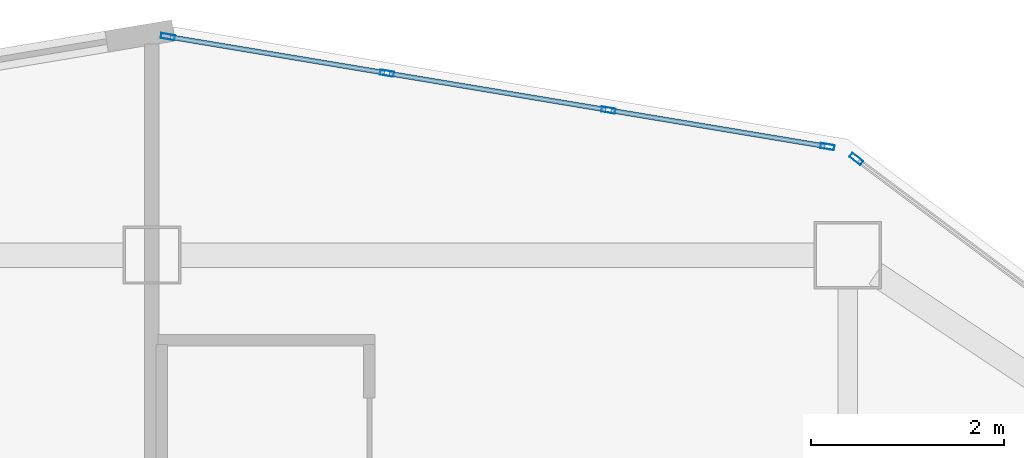
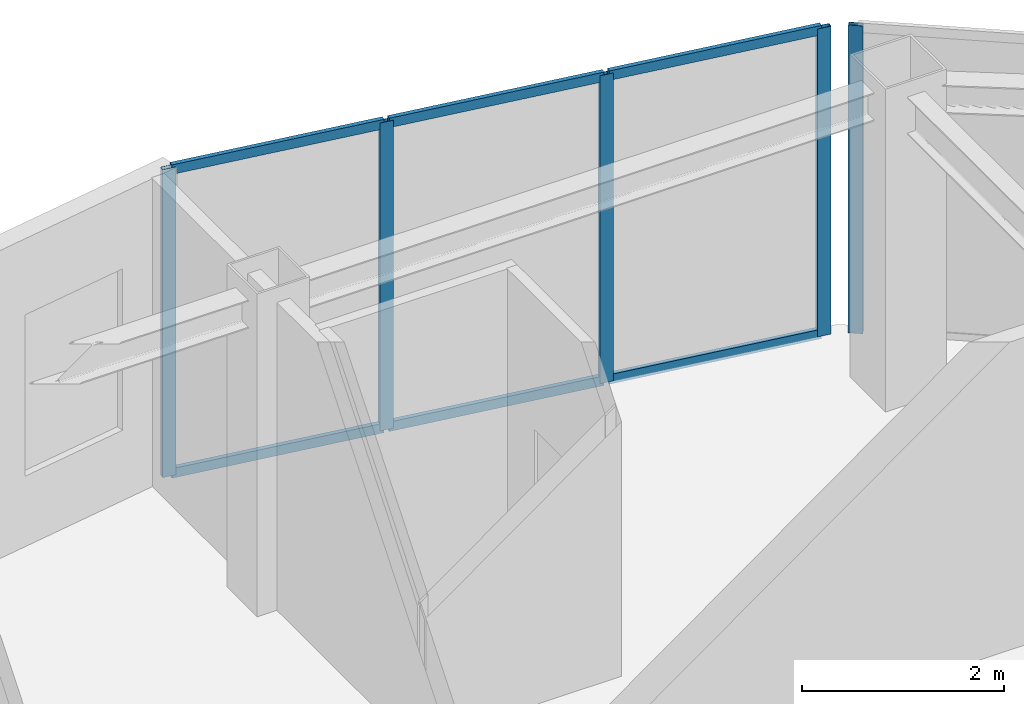
# One storey, part 3 of 8: 11 members, 2 elements without a shape of their own.
"""IFC4 building model written with IfcOpenShell, lengths in metres."""

import ifcopenshell
import ifcopenshell.guid

model = None  # the IFC model being written
_history = None  # IfcOwnerHistory: only IFC2X3 demands one
_inside = {}  # id of a spatial element -> (the spatial element, [elements in it])
_under = {}  # id of a project, library or spatial element -> (it, [spatial elements below it])
_declared = {}  # id of a project -> (the project, [libraries it declares])
_typed = {}  # id of a type object -> (the type object, [elements of that type])
_made_of = {}  # id of a material, layer set ... -> (it, [elements and type objects made of it])


def new_model(schema):
    """Start an empty IFC model of exactly this schema.

    Asked for "IFC4X3", IfcOpenShell would pick the latest addendum, in which some entities
    have other attributes; the version numbers below select the first issue.
    IFC2X3 requires an IfcOwnerHistory on every rooted entity: one is made here for all.
    """
    global model, _history
    if schema == "IFC4X3":
        model = ifcopenshell.file(schema_version=(4, 3, 0, 0))
    else:
        model = ifcopenshell.file(schema=schema)
    _inside.clear()
    _under.clear()
    _declared.clear()
    _typed.clear()
    _made_of.clear()
    _history = None
    if model.schema == "IFC2X3":
        org = make("IfcOrganization", Name="unknown")
        user = make(
            "IfcPersonAndOrganization",
            ThePerson=make("IfcPerson", FamilyName="unknown"),
            TheOrganization=org,
        )
        app = make(
            "IfcApplication",
            ApplicationDeveloper=org,
            Version="unknown",
            ApplicationFullName="unknown",
            ApplicationIdentifier="unknown",
        )
        _history = make(
            "IfcOwnerHistory",
            OwningUser=user,
            OwningApplication=app,
            ChangeAction="ADDED",
            CreationDate=0,
        )
    return model


def make(cls, **values):
    """One entity of the class cls with the attributes given. An attribute that is None is left unset."""
    return model.create_entity(
        cls, **{name: value for name, value in values.items() if value is not None}
    )


def rooted(cls, **values):
    """An entity with a GlobalId (a new one), such as an element, a storey or a relation."""
    return make(cls, GlobalId=ifcopenshell.guid.new(), OwnerHistory=_history, **values)


def si_unit(unit_type, name, prefix=None):
    """IfcSIUnit, for example si_unit("LENGTHUNIT", "METRE", prefix="MILLI")."""
    return make("IfcSIUnit", UnitType=unit_type, Prefix=prefix, Name=name)


def assignment(units):
    """IfcUnitAssignment: the units of a project."""
    return None if units is None else make("IfcUnitAssignment", Units=units)


def point(xyz):
    """IfcCartesianPoint."""
    return None if xyz is None else make("IfcCartesianPoint", Coordinates=xyz)


def direction(xyz):
    """IfcDirection."""
    return None if xyz is None else make("IfcDirection", DirectionRatios=xyz)


def frame(location, z_axis=None, x_axis=None):
    """IfcAxis2Placement3D, a coordinate frame: its origin and axes. An axis left out is left unset."""
    return make(
        "IfcAxis2Placement3D",
        Location=point(location),
        Axis=direction(z_axis),
        RefDirection=direction(x_axis),
    )


def frame_2d(location, x_axis=None):
    """IfcAxis2Placement2D, a coordinate frame in the plane: its origin and x axis."""
    return make(
        "IfcAxis2Placement2D", Location=point(location), RefDirection=direction(x_axis)
    )


def origin():
    """The frame at (0, 0, 0) with its axes left unset."""
    return frame((0.0, 0.0, 0.0))


def origin_2d():
    """The frame at (0, 0) in the plane with its x axis left unset."""
    return frame_2d((0.0, 0.0))


def place(relative_to, where):
    """IfcLocalPlacement: puts the frame where relative to a parent placement (None: the world)."""
    return make(
        "IfcLocalPlacement", PlacementRelTo=relative_to, RelativePlacement=where
    )


def context(
    kind, dimensions, precision=None, world=None, true_north=None, identifier=None
):
    """IfcGeometricRepresentationContext, for example the 3D "Model" context."""
    return make(
        "IfcGeometricRepresentationContext",
        ContextIdentifier=identifier,
        ContextType=kind,
        CoordinateSpaceDimension=dimensions,
        Precision=precision,
        WorldCoordinateSystem=world,
        TrueNorth=true_north,
    )


def subcontext(parent, identifier, kind, view, scale=None):
    """IfcGeometricRepresentationSubContext, for example "Body" below "Model"."""
    return make(
        "IfcGeometricRepresentationSubContext",
        ContextIdentifier=identifier,
        ContextType=kind,
        ParentContext=parent,
        TargetScale=scale,
        TargetView=view,
    )


def project(units=None, contexts=None):
    """IfcProject with its units and contexts."""
    return rooted(
        "IfcProject",
        Name="project",
        RepresentationContexts=contexts,
        UnitsInContext=assignment(units),
    )


def spatial(cls, under=None, at=None, **own):
    """A site, building, storey or space (cls), placed at a placement, below another one or the project."""
    s = rooted(cls, ObjectPlacement=at, **own)
    if under is not None:
        _under.setdefault(under.id(), (under, []))[1].append(s)
    return s


def profile(cls, at=None, kind="AREA", **sizes):
    """A parametric profile (cls). Its sizes go by their IFC names, for example OverallWidth=200.0."""
    return make(cls, ProfileType=kind, Position=at, **sizes)


def hollow_rectangle(**sizes):
    """IfcRectangleHollowProfileDef."""
    return profile("IfcRectangleHollowProfileDef", **sizes)


def extrude(swept, where, along, depth):
    """IfcExtrudedAreaSolid: the profile swept, set in the frame where, extruded along a direction by depth."""
    return make(
        "IfcExtrudedAreaSolid",
        SweptArea=swept,
        Position=where,
        ExtrudedDirection=direction(along),
        Depth=depth,
    )


def shape(context_of_items, identifier, shape_type, items):
    """IfcShapeRepresentation: the items that make up one representation, for example the "Body"."""
    return make(
        "IfcShapeRepresentation",
        ContextOfItems=context_of_items,
        RepresentationIdentifier=identifier,
        RepresentationType=shape_type,
        Items=items,
    )


def material(Name=None, Category=None):
    """IfcMaterial."""
    return make("IfcMaterial", Name=Name, Category=Category)


def layer(
    of_material, thickness, ventilated=None, Name=None, Category=None, Priority=None
):
    """IfcMaterialLayer: one layer of a wall or slab, of a material (None: an air gap)."""
    return make(
        "IfcMaterialLayer",
        Material=of_material,
        LayerThickness=thickness,
        IsVentilated=ventilated,
        Name=Name,
        Category=Category,
        Priority=Priority,
    )


def layer_set(layers, Name=None):
    """IfcMaterialLayerSet."""
    return make("IfcMaterialLayerSet", MaterialLayers=layers, LayerSetName=Name)


def material_profile(
    of_material, cross_section, Name=None, Category=None, Priority=None
):
    """IfcMaterialProfile: a cross section and its material."""
    return make(
        "IfcMaterialProfile",
        Name=Name,
        Material=of_material,
        Profile=cross_section,
        Priority=Priority,
        Category=Category,
    )


def profile_set(profiles, Name=None, composite=None):
    """IfcMaterialProfileSet."""
    return make(
        "IfcMaterialProfileSet",
        Name=Name,
        MaterialProfiles=profiles,
        CompositeProfile=composite,
    )


def made_of(thing, what):
    """Note that an element or type object is made of a material, layer set ...; save() writes the relation."""
    if what is not None:
        _made_of.setdefault(what.id(), (what, []))[1].append(thing)
    return thing


def type_object(cls, material=None, **own):
    """A type object (cls), such as IfcWallType, which elements share."""
    return made_of(rooted(cls, **own), material)


def element(
    cls,
    number,
    at=None,
    inside=None,
    cuts=None,
    type_object=None,
    material=None,
    context=None,
    identifier="Body",
    shape_type=None,
    held_by="IfcProductDefinitionShape",
    body=None,
    shapes=None,
    **own,
):
    """One element of the class cls, such as IfcWall. Its Tag is "e" and its number.

    at: its placement. inside: the storey or other place that contains it. cuts: it is an
    opening in that element (IfcRelVoidsElement). A single representation is given by context,
    identifier, shape_type and body (its items); several are given by shapes. held_by: the class
    of the entity that holds the representations. save() writes the other relations.
    """
    e = rooted(cls, Tag="e%d" % number, ObjectPlacement=at, **own)
    if body is not None:
        shapes = [shape(context, identifier, shape_type, body)]
    if shapes is not None:
        e.Representation = make(held_by, Representations=shapes)
    if inside is not None:
        _inside.setdefault(inside.id(), (inside, []))[1].append(e)
    if cuts is not None:
        rooted(
            "IfcRelVoidsElement", RelatingBuildingElement=cuts, RelatedOpeningElement=e
        )
    if type_object is not None:
        _typed.setdefault(type_object.id(), (type_object, []))[1].append(e)
    return made_of(e, material)


def aggregate(whole, parts):
    """IfcRelAggregates: a whole, such as a stair, and the parts it consists of."""
    return rooted("IfcRelAggregates", RelatingObject=whole, RelatedObjects=parts)


def save(model, path):
    """Write the relations noted so far, then the file.

    IfcRelAggregates (storeys below a building ...), IfcRelContainedInSpatialStructure (elements
    in a storey), IfcRelDefinesByType, IfcRelAssociatesMaterial and IfcRelDeclares: one each for
    every whole, place, type object, material and project.
    """
    for whole, parts in _under.values():
        aggregate(whole, parts)
    for where, things in _inside.values():
        rooted(
            "IfcRelContainedInSpatialStructure",
            RelatedElements=things,
            RelatingStructure=where,
        )
    for kind, things in _typed.values():
        rooted("IfcRelDefinesByType", RelatedObjects=things, RelatingType=kind)
    for what, things in _made_of.values():
        rooted("IfcRelAssociatesMaterial", RelatedObjects=things, RelatingMaterial=what)
    for by, libraries in _declared.values():
        rooted("IfcRelDeclares", RelatingContext=by, RelatedDefinitions=libraries)
    model.write(path)


model = new_model("IFC4")

# Units and contexts
model_context = context("Model", 3, precision=1e-05, world=origin(), true_north=direction((0.0, 1.0)))
body_context = subcontext(model_context, "Body", "Model", "MODEL_VIEW")
ifc_project = project(units=[si_unit("LENGTHUNIT", "METRE"), si_unit("AREAUNIT", "SQUARE_METRE"), si_unit("VOLUMEUNIT", "CUBIC_METRE"), si_unit("PLANEANGLEUNIT", "RADIAN"), si_unit("MASSUNIT", "GRAM", prefix="KILO")], contexts=[model_context])

# Site, building, storey
site_placement = place(None, origin())
site = spatial("IfcSite", under=ifc_project, at=site_placement, CompositionType="ELEMENT")
building_placement = place(site_placement, origin())
building = spatial("IfcBuilding", under=site, at=building_placement, Name="Haolan Belvedere Tower", CompositionType="ELEMENT")
storey_placement = place(building_placement, frame((0.0, 0.0, 301.699951171875)))
storey = spatial("IfcBuildingStorey", under=building, at=storey_placement, Name="L76", CompositionType="ELEMENT", Elevation=301.699951171875)

# Curtain wall, member
ifc_material_1 = material(Name="Anodised champagne-silver aluminium 6063-T6 and Low-E glass", Category="aluminium")
ifc_layer = layer(ifc_material_1, 0.14501953125, Name="Anodised champagne-silver aluminium 6063-T6 and Low-E glass")
ifc_layer_set = layer_set([ifc_layer], Name="Anodised champagne-silver aluminium 6063-T6 and Low-E glass")
curtain_wall_type = type_object("IfcCurtainWallType", Name="CW-SYS-05", PredefinedType="NOTDEFINED", material=ifc_layer_set)
curtain_wall_1_placement = place(storey_placement, origin())
curtain_wall_1 = element("IfcCurtainWall", 1, at=curtain_wall_1_placement, inside=storey, type_object=curtain_wall_type, Name="L76 CW-SYS-05 ribbon curtain wall 8.1", PredefinedType="NOTDEFINED")
ifc_material_2 = material(Name="Anodised aluminium 6063-T6", Category="aluminium")
ifc_material_profile_1 = material_profile(ifc_material_2, hollow_rectangle(XDim=0.053955078125, YDim=0.14501953125, WallThickness=0.00390625, at=origin_2d()), Name="Anodised aluminium 6063-T6")
ifc_profile_set_1 = profile_set([ifc_material_profile_1], Name="Anodised aluminium 6063-T6")
member_type_1 = type_object("IfcMemberType", Name="CW-SYS-05-MUL", PredefinedType="MULLION", material=ifc_profile_set_1)
member_1_placement = place(storey_placement, frame((45.689208984375, 51.395751953125, 0.0), z_axis=(0.0, 0.0, 1.0), x_axis=(-0.600002837806, -0.799997871638, 0.0)))
member_1 = element("IfcMember", 2, at=member_1_placement, type_object=member_type_1, Name="CW-05 mullion 3", PredefinedType="MULLION", context=body_context, shape_type="SweptSolid", body=[
    extrude(hollow_rectangle(XDim=0.053955078125, YDim=0.14501953125, WallThickness=0.00390625, at=origin_2d()), origin(), (0.0, 0.0, 1.0), 3.719970703125),
])
aggregate(curtain_wall_1, [member_1])

# Curtain wall, members
curtain_wall_2_placement = place(storey_placement, origin())
curtain_wall_2 = element("IfcCurtainWall", 3, at=curtain_wall_2_placement, inside=storey, type_object=curtain_wall_type, Name="L76 CW-SYS-05 ribbon curtain wall 9.1", PredefinedType="NOTDEFINED")
member_2_placement = place(storey_placement, frame((45.390869140625, 51.5234375, 0.0), z_axis=(0.0, 0.0, 1.0), x_axis=(-0.164405962825, -0.98639276122, 0.0)))
member_2 = element("IfcMember", 4, at=member_2_placement, type_object=member_type_1, Name="CW-05 mullion 1", PredefinedType="MULLION", context=body_context, shape_type="SweptSolid", body=[
    extrude(hollow_rectangle(XDim=0.053955078125, YDim=0.14501953125, WallThickness=0.00390625, at=origin_2d()), origin(), (0.0, 0.0, 1.0), 3.719970703125),
])
member_3_placement = place(storey_placement, frame((43.124267578125, 51.901123046875, 0.0), z_axis=(0.0, 0.0, 1.0), x_axis=(-0.164405962825, -0.98639276122, 0.0)))
member_3 = element("IfcMember", 5, at=member_3_placement, type_object=member_type_1, Name="CW-05 mullion 2", PredefinedType="MULLION", context=body_context, shape_type="SweptSolid", body=[
    extrude(hollow_rectangle(XDim=0.053955078125, YDim=0.14501953125, WallThickness=0.00390625, at=origin_2d()), origin(), (0.0, 0.0, 1.0), 3.719970703125),
])
member_4_placement = place(storey_placement, frame((40.831298828125, 52.283203125, 0.0), z_axis=(0.0, 0.0, 1.0), x_axis=(-0.164405962825, -0.98639276122, 0.0)))
member_4 = element("IfcMember", 6, at=member_4_placement, type_object=member_type_1, Name="CW-05 mullion 3", PredefinedType="MULLION", context=body_context, shape_type="SweptSolid", body=[
    extrude(hollow_rectangle(XDim=0.053955078125, YDim=0.14501953125, WallThickness=0.00390625, at=origin_2d()), origin(), (0.0, 0.0, 1.0), 3.719970703125),
])
member_5_placement = place(storey_placement, frame((38.564697265625, 52.6611328125, 0.0), z_axis=(0.0, 0.0, 1.0), x_axis=(-0.164405962825, -0.98639276122, 0.0)))
member_5 = element("IfcMember", 7, at=member_5_placement, type_object=member_type_1, Name="CW-05 mullion 4", PredefinedType="MULLION", context=body_context, shape_type="SweptSolid", body=[
    extrude(hollow_rectangle(XDim=0.053955078125, YDim=0.14501953125, WallThickness=0.00390625, at=origin_2d()), origin(), (0.0, 0.0, 1.0), 3.719970703125),
])
ifc_material_profile_2 = material_profile(ifc_material_2, hollow_rectangle(XDim=0.050048828125, YDim=0.114990234375, WallThickness=0.00390625, at=origin_2d()), Name="Anodised aluminium 6063-T6")
ifc_profile_set_2 = profile_set([ifc_material_profile_2], Name="Anodised aluminium 6063-T6")
member_type_2 = type_object("IfcMemberType", Name="CW-SYS-05-TRN", PredefinedType="USERDEFINED", material=ifc_profile_set_2)
member_6_placement = place(storey_placement, frame((45.364013671875, 51.52783203125, 0.025146484375), z_axis=(-0.986390982779, 0.164416632651, 0.0), x_axis=(-0.164416632651, -0.986390982779, 0.0)))
member_6 = element("IfcMember", 8, at=member_6_placement, type_object=member_type_2, Name="CW-05 transom 1.1", ObjectType="TRANSOM", PredefinedType="USERDEFINED", context=body_context, shape_type="SweptSolid", body=[
    extrude(hollow_rectangle(XDim=0.050048828125, YDim=0.114990234375, WallThickness=0.00390625, at=origin_2d()), origin(), (0.0, 0.0, 1.0), 2.24365234375),
])
member_7_placement = place(storey_placement, frame((45.364013671875, 51.52783203125, 3.695068359375), z_axis=(-0.986390982779, 0.164416632651, 0.0), x_axis=(-0.164416632651, -0.986390982779, 0.0)))
member_7 = element("IfcMember", 9, at=member_7_placement, type_object=member_type_2, Name="CW-05 transom 1.2", ObjectType="TRANSOM", PredefinedType="USERDEFINED", context=body_context, shape_type="SweptSolid", body=[
    extrude(hollow_rectangle(XDim=0.050048828125, YDim=0.114990234375, WallThickness=0.00390625, at=origin_2d()), origin(), (0.0, 0.0, 1.0), 2.24365234375),
])
member_8_placement = place(storey_placement, frame((43.09765625, 51.905517578125, 0.025146484375), z_axis=(-0.986393923832, 0.164398987305, 0.0), x_axis=(-0.164398987305, -0.986393923832, 0.0)))
member_8 = element("IfcMember", 10, at=member_8_placement, type_object=member_type_2, Name="CW-05 transom 2.1", ObjectType="TRANSOM", PredefinedType="USERDEFINED", context=body_context, shape_type="SweptSolid", body=[
    extrude(hollow_rectangle(XDim=0.050048828125, YDim=0.114990234375, WallThickness=0.00390625, at=origin_2d()), origin(), (0.0, 0.0, 1.0), 2.270751953125),
])
member_9_placement = place(storey_placement, frame((43.09765625, 51.905517578125, 3.695068359375), z_axis=(-0.986393923832, 0.164398987305, 0.0), x_axis=(-0.164398987305, -0.986393923832, 0.0)))
member_9 = element("IfcMember", 11, at=member_9_placement, type_object=member_type_2, Name="CW-05 transom 2.2", ObjectType="TRANSOM", PredefinedType="USERDEFINED", context=body_context, shape_type="SweptSolid", body=[
    extrude(hollow_rectangle(XDim=0.050048828125, YDim=0.114990234375, WallThickness=0.00390625, at=origin_2d()), origin(), (0.0, 0.0, 1.0), 2.270751953125),
])
member_10_placement = place(storey_placement, frame((40.8046875, 52.287841796875, 0.025146484375), z_axis=(-0.986393923832, 0.164398987305, 0.0), x_axis=(-0.164398987305, -0.986393923832, 0.0)))
member_10 = element("IfcMember", 12, at=member_10_placement, type_object=member_type_2, Name="CW-05 transom 3.1", ObjectType="TRANSOM", PredefinedType="USERDEFINED", context=body_context, shape_type="SweptSolid", body=[
    extrude(hollow_rectangle(XDim=0.050048828125, YDim=0.114990234375, WallThickness=0.00390625, at=origin_2d()), origin(), (0.0, 0.0, 1.0), 2.243896484375),
])
member_11_placement = place(storey_placement, frame((40.8046875, 52.287841796875, 3.695068359375), z_axis=(-0.986393923832, 0.164398987305, 0.0), x_axis=(-0.164398987305, -0.986393923832, 0.0)))
member_11 = element("IfcMember", 13, at=member_11_placement, type_object=member_type_2, Name="CW-05 transom 3.2", ObjectType="TRANSOM", PredefinedType="USERDEFINED", context=body_context, shape_type="SweptSolid", body=[
    extrude(hollow_rectangle(XDim=0.050048828125, YDim=0.114990234375, WallThickness=0.00390625, at=origin_2d()), origin(), (0.0, 0.0, 1.0), 2.243896484375),
])
aggregate(curtain_wall_2, [member_2, member_3, member_4, member_5, member_6, member_7, member_8, member_9, member_10, member_11])

save(model, "model.ifc")
